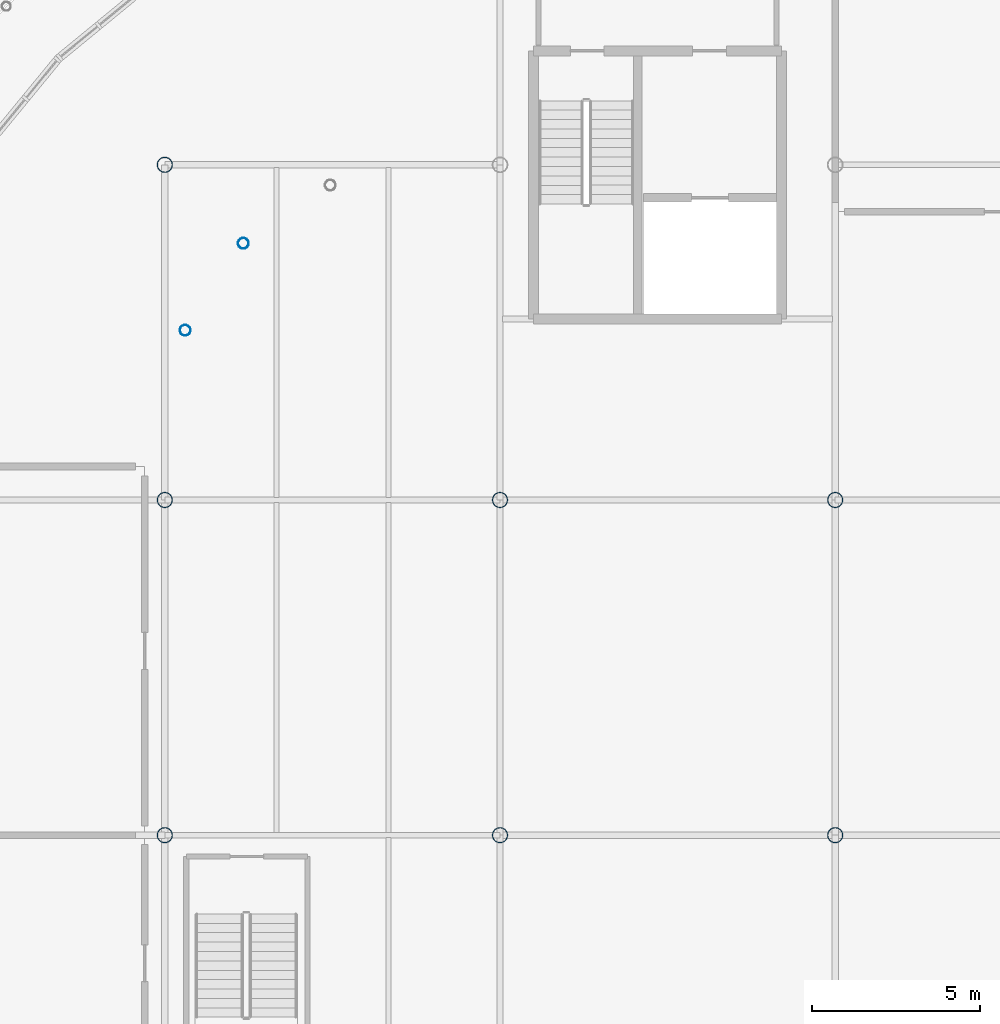
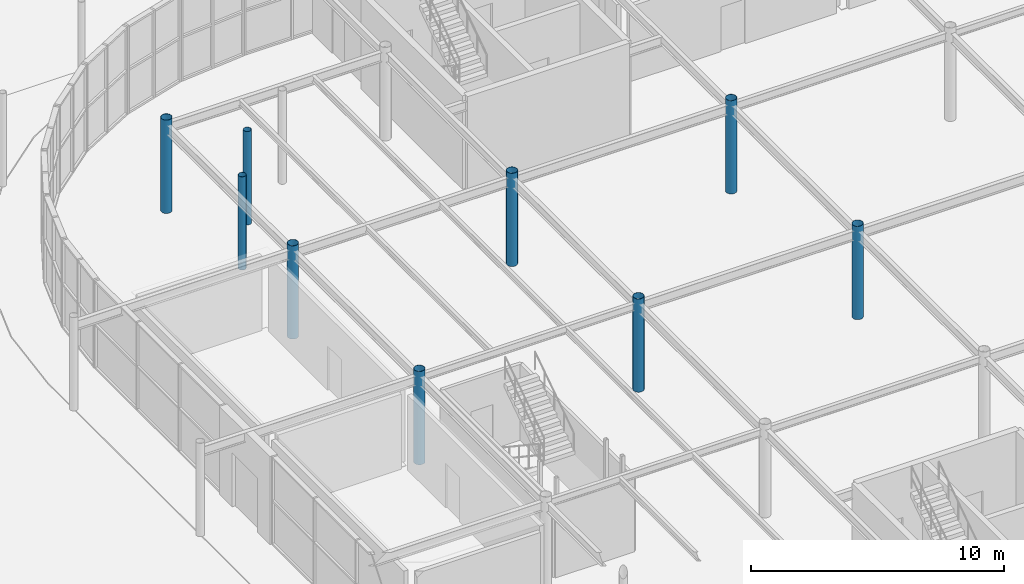
# One storey, part 10 of 119: 9 columns.
"""IFC4 building model written with IfcOpenShell, lengths in metres."""

from ifc_helpers import new_model, si_unit, derived_unit, direction, frame, origin, origin_2d_with_axis, place, context, subcontext, project, spatial, hollow_circle, extrude, material, material_profile, profile_set, type_object, element, save


model = new_model("IFC4")

# Units and contexts
model_context = context("Model", 3, precision=1e-05, world=origin(), true_north=direction((0.0, 1.0)))
body_context = subcontext(model_context, "Body", "Model", "MODEL_VIEW")
ifc_project = project(units=[si_unit("LENGTHUNIT", "METRE"), si_unit("AREAUNIT", "SQUARE_METRE"), si_unit("VOLUMEUNIT", "CUBIC_METRE"), si_unit("PLANEANGLEUNIT", "RADIAN"), si_unit("MASSUNIT", "GRAM", prefix="KILO"), derived_unit("THERMALTRANSMITTANCEUNIT", [(si_unit("POWERUNIT", "WATT"), 1), (si_unit("LENGTHUNIT", "METRE"), -2), (si_unit("THERMODYNAMICTEMPERATUREUNIT", "KELVIN"), -1)])], contexts=[model_context])

# Site, building, storey
site_placement = place(None, origin())
site = spatial("IfcSite", under=ifc_project, at=site_placement, CompositionType="ELEMENT")
building_placement = place(site_placement, origin())
building = spatial("IfcBuilding", under=site, at=building_placement, Name="Cinnabar Yard Market Hall", CompositionType="ELEMENT")
storey_placement = place(building_placement, origin())
storey = spatial("IfcBuildingStorey", under=building, at=storey_placement, Name="L00", CompositionType="ELEMENT", Elevation=0.0)

# Columns
ifc_material = material(Name="Spotted-gum glulam-clad steel Grade 350 (350 MPa)", Category="steel")
ifc_material_profile_1 = material_profile(ifc_material, hollow_circle(Radius=0.228515625, WallThickness=0.0126953125, at=origin_2d_with_axis()), Name="457.0x12.7CHS")
ifc_profile_set_1 = profile_set([ifc_material_profile_1], Name="Spotted-gum glulam-clad steel Grade 350 (350 MPa)")
column_type_1 = type_object("IfcColumnType", Name="COL-C01", PredefinedType="COLUMN", material=ifc_profile_set_1)
for number, where, z_axis, x_axis, name in (
    (1, (76.0, 44.0, 0.0), (0.0, 0.0, 1.0), (1.0, 0.0, 0.0), "Tree Column V1I-01-03 L00"),
    (2, (76.0, 54.0, 0.0), (0.0, 0.0, 1.0), (1.0, 0.0, 0.0), "Tree Column V1I-01-04 L00"),
    (3, (76.0, 64.0, 0.0), (0.0, 0.0, 1.0), (1.0, 0.0, 0.0), "Tree Column V1I-01-05 L00"),
    (4, (86.0, 44.0, 0.0), (0.0, 0.0, 1.0), (1.0, 0.0, 0.0), "Tree Column V1I-02-03 L00"),
    (5, (86.0, 54.0, 0.0), (0.0, 0.0, 1.0), (1.0, 0.0, 0.0), "Tree Column V1I-02-04 L00"),
    (6, (96.0, 44.0, 0.0), (0.0, 0.0, 1.0), (1.0, 0.0, 0.0), "Tree Column V1I-03-03 L00"),
    (7, (96.0, 54.0, 0.0), (0.0, 0.0, 1.0), (1.0, 0.0, 0.0), "Tree Column V1I-03-04 L00"),
):
    element("IfcColumn", number, at=place(storey_placement, frame(where, z_axis=z_axis, x_axis=x_axis)), inside=storey, type_object=column_type_1, Name=name, PredefinedType="COLUMN", context=body_context, shape_type="SweptSolid", body=[
        extrude(hollow_circle(Radius=0.228515625, WallThickness=0.0126953125, at=origin_2d_with_axis()), origin(), (0.0, 0.0, 1.0), 4.5),
    ])
ifc_material_profile_2 = material_profile(ifc_material, hollow_circle(Radius=0.161865234375, WallThickness=0.009521484375, at=origin_2d_with_axis()), Name="323.9x9.5CHS")
ifc_profile_set_2 = profile_set([ifc_material_profile_2], Name="Spotted-gum glulam-clad steel Grade 350 (350 MPa)")
column_type_2 = type_object("IfcColumnType", Name="COL-C03", PredefinedType="COLUMN", material=ifc_profile_set_2)
for number, where, z_axis, x_axis, name in (
    (8, (78.343017578125, 61.656982421875, 0.0), (0.0, 0.0, 1.0), (1.0, 0.0, 0.0), "Tree Column V1IC-NW4 L00"),
    (9, (76.60888671875, 59.0615234375, 0.0), (0.0, 0.0, 1.0), (1.0, 0.0, 0.0), "Tree Column V1IC-NW6 L00"),
):
    element("IfcColumn", number, at=place(storey_placement, frame(where, z_axis=z_axis, x_axis=x_axis)), inside=storey, type_object=column_type_2, Name=name, PredefinedType="COLUMN", context=body_context, shape_type="SweptSolid", body=[
        extrude(hollow_circle(Radius=0.161865234375, WallThickness=0.009521484375, at=origin_2d_with_axis()), origin(), (0.0, 0.0, 1.0), 4.5),
    ])

save(model, "model.ifc")
